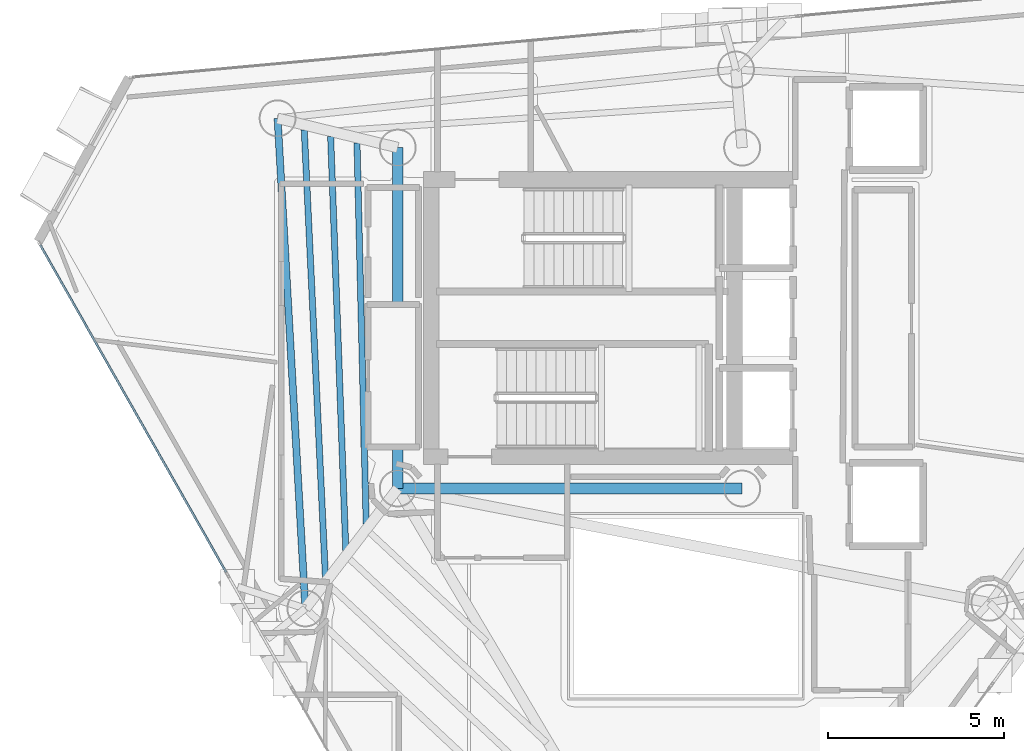
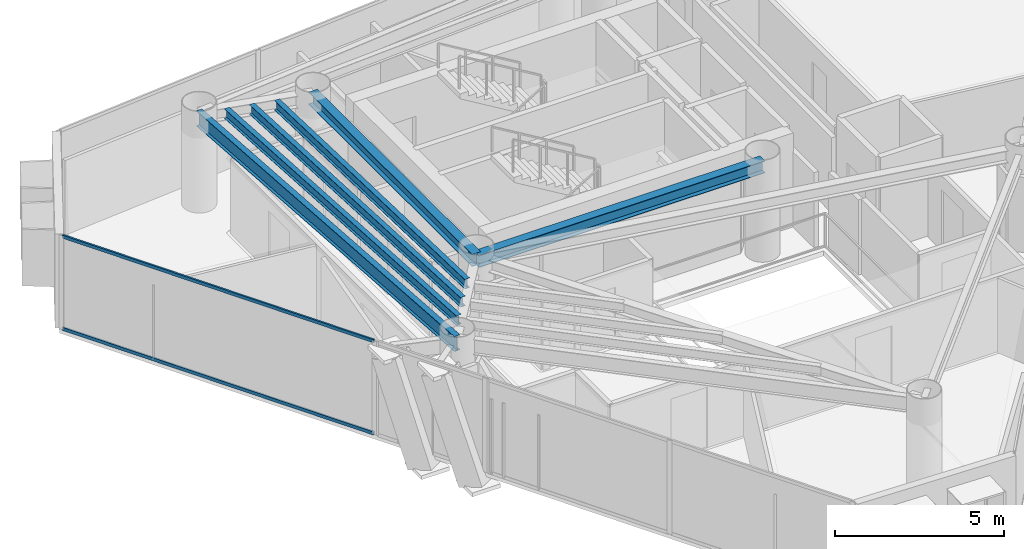
# One storey, part 7 of 21: 6 beams, 2 members, 1 element without a shape of its own.
"""IFC4 building model written with IfcOpenShell, lengths in metres."""

from ifc_helpers import new_model, si_unit, direction, frame, origin, origin_2d, place, context, subcontext, project, spatial, hollow_rectangle, i_section, extrude, material, layer, layer_set, material_profile, profile_set, type_object, element, aggregate, save


model = new_model("IFC4")

# Units and contexts
model_context = context("Model", 3, precision=1e-05, world=origin(), true_north=direction((0.0, 1.0)))
body_context = subcontext(model_context, "Body", "Model", "MODEL_VIEW")
ifc_project = project(units=[si_unit("LENGTHUNIT", "METRE"), si_unit("AREAUNIT", "SQUARE_METRE"), si_unit("VOLUMEUNIT", "CUBIC_METRE"), si_unit("PLANEANGLEUNIT", "RADIAN"), si_unit("MASSUNIT", "GRAM", prefix="KILO")], contexts=[model_context])

# Site, building, storey
site_placement = place(None, origin())
site = spatial("IfcSite", under=ifc_project, at=site_placement, CompositionType="ELEMENT")
building_placement = place(site_placement, origin())
building = spatial("IfcBuilding", under=site, at=building_placement, Name="Qianvela Tower", CompositionType="ELEMENT")
storey_placement = place(building_placement, frame((0.0, 0.0, 272.300048828125)))
storey = spatial("IfcBuildingStorey", under=building, at=storey_placement, Name="L70", CompositionType="ELEMENT", Elevation=272.300048828125)

# Beams
ifc_material_1 = material(Name="Steel Q355B", Category="steel")
ifc_material_profile_1 = material_profile(ifc_material_1, i_section(OverallWidth=0.300048828125, OverallDepth=0.43994140625, WebThickness=0.010986328125, FlangeThickness=0.01806640625, at=origin_2d()), Name="HM440x300x11x18")
ifc_profile_set_1 = profile_set([ifc_material_profile_1], Name="Steel Q355B")
beam_type_1 = type_object("IfcBeamType", Name="BM-HM440-COLL", PredefinedType="BEAM", material=ifc_profile_set_1)
beam_1_placement = place(storey_placement, frame((28.60009765625, 23.85009765625, 3.177978515625), z_axis=(1.0, 0.0, 0.0), x_axis=(0.0, 1.0, 0.0)))
element("IfcBeam", 1, at=beam_1_placement, inside=storey, type_object=beam_type_1, Name="L70 Core Ring Collector Girder CC1", PredefinedType="BEAM", context=body_context, shape_type="SweptSolid", body=[
    extrude(i_section(OverallWidth=0.300048828125, OverallDepth=0.43994140625, WebThickness=0.010986328125, FlangeThickness=0.01806640625, at=origin_2d()), origin(), (0.0, 0.0, 1.0), 9.7998046875),
])
beam_2_placement = place(storey_placement, frame((28.60009765625, 33.550048828125, 3.177978515625), z_axis=(0.0, -1.0, 0.0), x_axis=(1.0, 0.0, 0.0)))
element("IfcBeam", 2, at=beam_2_placement, inside=storey, type_object=beam_type_1, Name="L70 Core Ring Collector Girder CC2", PredefinedType="BEAM", context=body_context, shape_type="SweptSolid", body=[
    extrude(i_section(OverallWidth=0.300048828125, OverallDepth=0.43994140625, WebThickness=0.010986328125, FlangeThickness=0.01806640625, at=origin_2d()), origin(), (0.0, 0.0, 1.0), 9.699951171875),
])
ifc_material_2 = material(Name="Steel Q355B", Category="steel")
ifc_material_profile_2 = material_profile(ifc_material_2, i_section(OverallWidth=0.175048828125, OverallDepth=0.35009765625, WebThickness=0.007080078125, FlangeThickness=0.010986328125, at=origin_2d()), Name="HN350x175x7x11")
ifc_profile_set_2 = profile_set([ifc_material_profile_2], Name="Steel Q355B")
beam_type_2 = type_object("IfcBeamType", Name="BM-HN350-JOIST", PredefinedType="JOIST", material=ifc_profile_set_2)
beam_3_placement = place(storey_placement, frame((27.44140625, 33.6875, 3.222900390625), z_axis=(0.024087497273, -0.999709854145, 0.0), x_axis=(0.999709854145, 0.024087497273, 0.0)))
element("IfcBeam", 3, at=beam_3_placement, inside=storey, type_object=beam_type_2, Name="L70 Secondary Composite Floor Joist 3.1", PredefinedType="JOIST", context=body_context, shape_type="SweptSolid", body=[
    extrude(i_section(OverallWidth=0.175048828125, OverallDepth=0.35009765625, WebThickness=0.007080078125, FlangeThickness=0.010986328125, at=origin_2d()), origin(), (0.0, 0.0, 1.0), 10.855224609375),
])
beam_4_placement = place(storey_placement, frame((26.69140625, 33.87109375, 3.222900390625), z_axis=(0.036597460417, -0.999330088555, 0.0), x_axis=(0.999330088555, 0.036597460417, 0.0)))
element("IfcBeam", 4, at=beam_4_placement, inside=storey, type_object=beam_type_2, Name="L70 Secondary Composite Floor Joist 3.2", PredefinedType="JOIST", context=body_context, shape_type="SweptSolid", body=[
    extrude(i_section(OverallWidth=0.175048828125, OverallDepth=0.35009765625, WebThickness=0.007080078125, FlangeThickness=0.010986328125, at=origin_2d()), origin(), (0.0, 0.0, 1.0), 11.794189453125),
])
beam_5_placement = place(storey_placement, frame((25.94091796875, 34.0546875, 3.222900390625), z_axis=(0.04729372403, -0.998881025782, 0.0), x_axis=(0.998881025782, 0.04729372403, 0.0)))
element("IfcBeam", 5, at=beam_5_placement, inside=storey, type_object=beam_type_2, Name="L70 Secondary Composite Floor Joist 3.3", PredefinedType="JOIST", context=body_context, shape_type="SweptSolid", body=[
    extrude(i_section(OverallWidth=0.175048828125, OverallDepth=0.35009765625, WebThickness=0.007080078125, FlangeThickness=0.010986328125, at=origin_2d()), origin(), (0.0, 0.0, 1.0), 12.735107421875),
])
ifc_material_3 = material(Name="Steel Q355B", Category="steel")
ifc_material_profile_3 = material_profile(ifc_material_3, i_section(OverallWidth=0.199951171875, OverallDepth=0.550048828125, WebThickness=0.010009765625, FlangeThickness=0.01611328125, at=origin_2d()), Name="HN550x200x10x16")
ifc_profile_set_3 = profile_set([ifc_material_profile_3], Name="Steel Q355B")
beam_type_3 = type_object("IfcBeamType", Name="BM-HN550-GIRD", PredefinedType="BEAM", material=ifc_profile_set_3)
beam_6_placement = place(storey_placement, frame((25.181884765625, 34.384033203125, 3.123046875), z_axis=(0.056555056691, -0.998399481952, 0.0), x_axis=(0.998399481952, 0.056555056691, 0.0)))
element("IfcBeam", 6, at=beam_6_placement, inside=storey, type_object=beam_type_3, Name="L70 Perimeter Ring Spandrel Girder 3", PredefinedType="BEAM", context=body_context, shape_type="SweptSolid", body=[
    extrude(i_section(OverallWidth=0.199951171875, OverallDepth=0.550048828125, WebThickness=0.010009765625, FlangeThickness=0.01611328125, at=origin_2d()), origin(), (0.0, 0.0, 1.0), 13.969482421875),
])

# Curtain wall, members
ifc_material_4 = material(Name="Anodised Architectural Aluminium and Low-E Glass", Category="aluminium")
ifc_layer = layer(ifc_material_4, 0.159912109375)
ifc_layer_set = layer_set([ifc_layer], Name="Anodised Architectural Aluminium and Low-E Glass")
curtain_wall_type = type_object("IfcCurtainWallType", Name="CW-COLIV-Z56", PredefinedType="USERDEFINED", material=ifc_layer_set)
curtain_wall_placement = place(storey_placement, origin())
curtain_wall = element("IfcCurtainWall", 7, at=curtain_wall_placement, inside=storey, type_object=curtain_wall_type, Name="L70 CW-COLIV-Z56 Curtain Wall 04A", ObjectType="CURTAIN_WALL_SYSTEM", PredefinedType="USERDEFINED")
ifc_material_5 = material(Name="Anodised Architectural Aluminium 6063-T6", Category="aluminium")
ifc_material_profile_4 = material_profile(ifc_material_5, hollow_rectangle(XDim=0.06005859375, YDim=0.114990234375, WallThickness=0.00390625, at=origin_2d()), Name="ALU-TRAN-60x115")
ifc_profile_set_4 = profile_set([ifc_material_profile_4], Name="Anodised Architectural Aluminium 6063-T6")
member_type = type_object("IfcMemberType", Name="CW-COLIV-Z56-TRAN", PredefinedType="USERDEFINED", material=ifc_profile_set_4)
member_1_placement = place(storey_placement, frame((18.426513671875, 30.78125, 0.030029296875), z_axis=(0.493954968112, -0.869487486671, 0.0), x_axis=(0.869487486671, 0.493954968112, 0.0)))
member_1 = element("IfcMember", 8, at=member_1_placement, type_object=member_type, Name="CW-5 transom 1.1", ObjectType="TRANSOM", PredefinedType="USERDEFINED", context=body_context, shape_type="SweptSolid", body=[
    extrude(hollow_rectangle(XDim=0.06005859375, YDim=0.114990234375, WallThickness=0.00390625, at=origin_2d()), origin(), (0.0, 0.0, 1.0), 10.7099609375),
])
member_2_placement = place(storey_placement, frame((18.426513671875, 30.78125, 3.369873046875), z_axis=(0.493954968112, -0.869487486671, 0.0), x_axis=(0.869487486671, 0.493954968112, 0.0)))
member_2 = element("IfcMember", 9, at=member_2_placement, type_object=member_type, Name="CW-5 transom 1.2", ObjectType="TRANSOM", PredefinedType="USERDEFINED", context=body_context, shape_type="SweptSolid", body=[
    extrude(hollow_rectangle(XDim=0.06005859375, YDim=0.114990234375, WallThickness=0.00390625, at=origin_2d()), origin(), (0.0, 0.0, 1.0), 10.7099609375),
])
aggregate(curtain_wall, [member_1, member_2])

save(model, "model.ifc")
